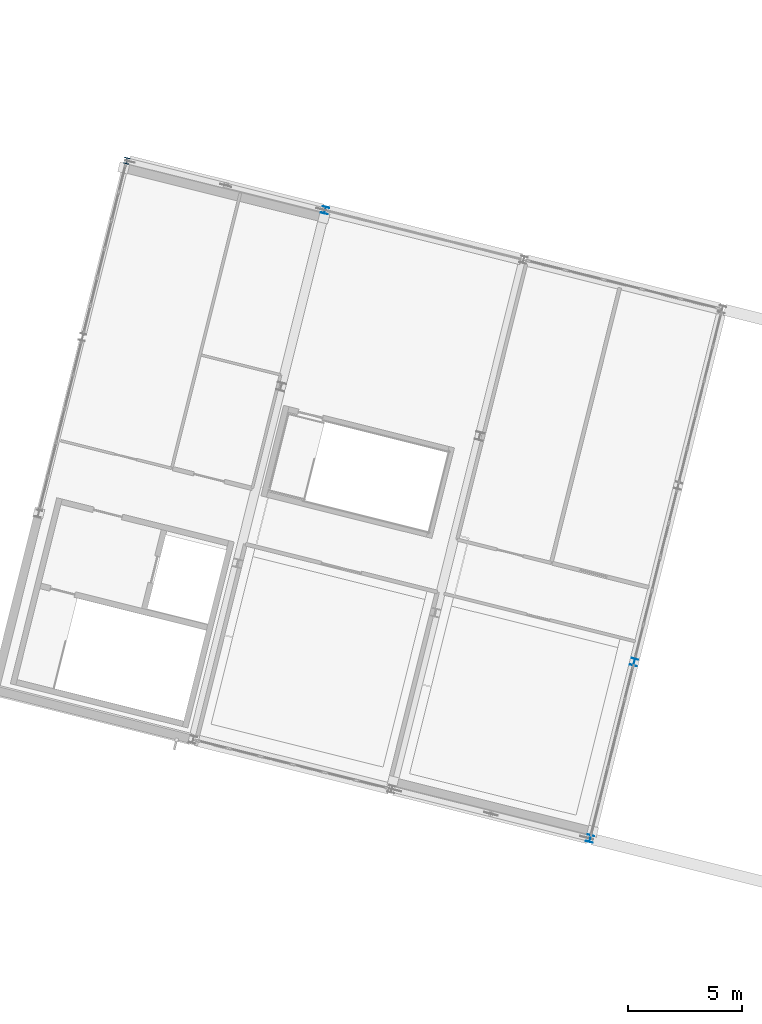
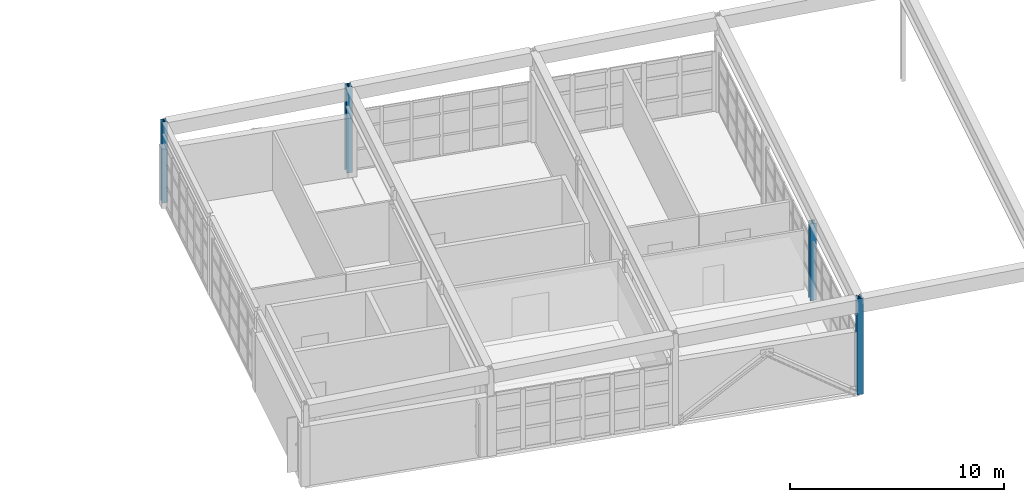
# One storey, part 3 of 27: 4 columns.
"""IFC4 building model written with IfcOpenShell, lengths in metres."""

from ifc_helpers import new_model, si_unit, direction, frame, origin, origin_2d, place, context, subcontext, project, spatial, i_section, extrude, material, material_profile, profile_set, type_object, element, save


model = new_model("IFC4")

# Units and contexts
model_context = context("Model", 3, precision=1e-05, world=origin(), true_north=direction((0.0, 1.0)))
body_context = subcontext(model_context, "Body", "Model", "MODEL_VIEW")
ifc_project = project(units=[si_unit("LENGTHUNIT", "METRE"), si_unit("AREAUNIT", "SQUARE_METRE"), si_unit("VOLUMEUNIT", "CUBIC_METRE"), si_unit("PLANEANGLEUNIT", "RADIAN"), si_unit("MASSUNIT", "GRAM", prefix="KILO")], contexts=[model_context])

# Site, building, storey
site_placement = place(None, origin())
site = spatial("IfcSite", under=ifc_project, at=site_placement, CompositionType="ELEMENT")
building_placement = place(site_placement, origin())
building = spatial("IfcBuilding", under=site, at=building_placement, Name="Vireo Bluff Cable Station", CompositionType="ELEMENT")
storey_placement = place(building_placement, frame((0.0, 0.0, 19.199951171875)))
storey = spatial("IfcBuildingStorey", under=building, at=storey_placement, Name="L04", CompositionType="ELEMENT", Elevation=19.199951171875)

# Columns
ifc_material = material(Name="Steel ASTM A992 Gr. 50", Category="steel")
ifc_material_profile_1 = material_profile(ifc_material, i_section(OverallWidth=0.304931640625, OverallDepth=0.306884765625, WebThickness=0.010009765625, FlangeThickness=0.015380859375, FilletRadius=0.012939453125, at=origin_2d()), Name="W12X65")
ifc_profile_set_1 = profile_set([ifc_material_profile_1], Name="Steel ASTM A992 Gr. 50")
column_type_1 = type_object("IfcColumnType", Name="ECOL-W12X65", PredefinedType="COLUMN", material=ifc_profile_set_1)
column_1_placement = place(storey_placement, frame((68.538818359375, 59.10986328125, 0.0), z_axis=(0.0, 0.0, 1.0), x_axis=(0.970295726276, -0.2419218956, 0.0)))
element("IfcColumn", 1, at=column_1_placement, inside=storey, type_object=column_type_1, Name="V1 L04 column 40", PredefinedType="COLUMN", context=body_context, shape_type="SweptSolid", body=[
    extrude(i_section(OverallWidth=0.304931640625, OverallDepth=0.306884765625, WebThickness=0.010009765625, FlangeThickness=0.015380859375, FilletRadius=0.012939453125, at=origin_2d()), origin(), (0.0, 0.0, 1.0), 4.92578125),
])
column_2_placement = place(storey_placement, frame((80.197998046875, 31.468017578125, 0.0), z_axis=(0.0, 0.0, 1.0), x_axis=(0.970295726276, -0.2419218956, 0.0)))
element("IfcColumn", 2, at=column_2_placement, inside=storey, type_object=column_type_1, Name="V1 L04 column 65", PredefinedType="COLUMN", context=body_context, shape_type="SweptSolid", body=[
    extrude(i_section(OverallWidth=0.304931640625, OverallDepth=0.306884765625, WebThickness=0.010009765625, FlangeThickness=0.015380859375, FilletRadius=0.012939453125, at=origin_2d()), origin(), (0.0, 0.0, 1.0), 5.4970703125),
])
column_3_placement = place(storey_placement, frame((82.13330078125, 39.23046875, 0.0), z_axis=(0.0, 0.0, 1.0), x_axis=(0.970295726276, -0.2419218956, 0.0)))
element("IfcColumn", 3, at=column_3_placement, inside=storey, type_object=column_type_1, Name="V1 L04 column 70", PredefinedType="COLUMN", context=body_context, shape_type="SweptSolid", body=[
    extrude(i_section(OverallWidth=0.304931640625, OverallDepth=0.306884765625, WebThickness=0.010009765625, FlangeThickness=0.015380859375, FilletRadius=0.012939453125, at=origin_2d()), origin(), (0.0, 0.0, 1.0), 4.400146484375),
])
ifc_material_profile_2 = material_profile(ifc_material, i_section(OverallWidth=0.257080078125, OverallDepth=0.263916015625, WebThickness=0.011962890625, FlangeThickness=0.01953125, FilletRadius=0.009033203125, at=origin_2d()), Name="W10X68")
ifc_profile_set_2 = profile_set([ifc_material_profile_2], Name="Steel ASTM A992 Gr. 50")
column_type_2 = type_object("IfcColumnType", Name="PIL-W10X68", PredefinedType="PILASTER", material=ifc_profile_set_2)
column_4_placement = place(storey_placement, frame((59.80615234375, 61.287109375, 0.0), z_axis=(0.0, 0.0, 1.0), x_axis=(0.970295726276, -0.2419218956, 0.0)))
element("IfcColumn", 4, at=column_4_placement, inside=storey, type_object=column_type_2, Name="V1 L04 column 20", PredefinedType="PILASTER", context=body_context, shape_type="SweptSolid", body=[
    extrude(i_section(OverallWidth=0.257080078125, OverallDepth=0.263916015625, WebThickness=0.011962890625, FlangeThickness=0.01953125, FilletRadius=0.009033203125, at=origin_2d()), origin(), (0.0, 0.0, 1.0), 4.64013671875),
])

save(model, "model.ifc")
